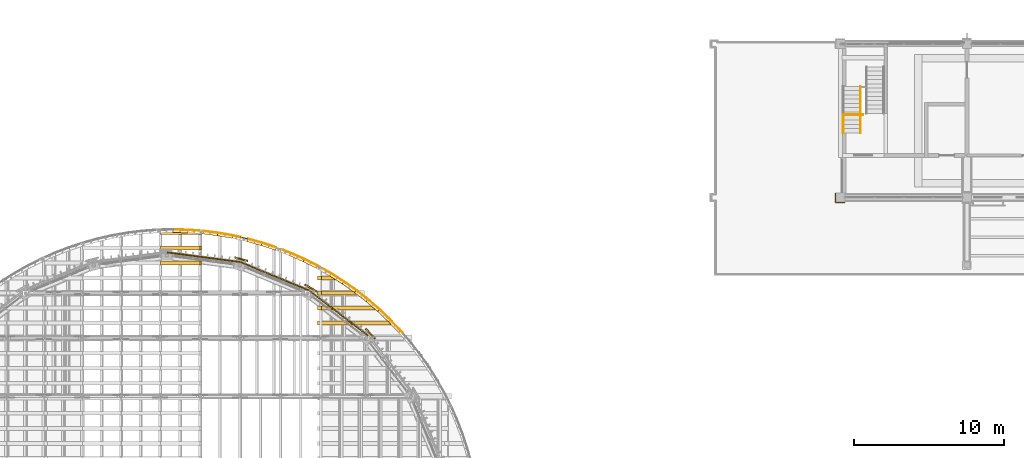
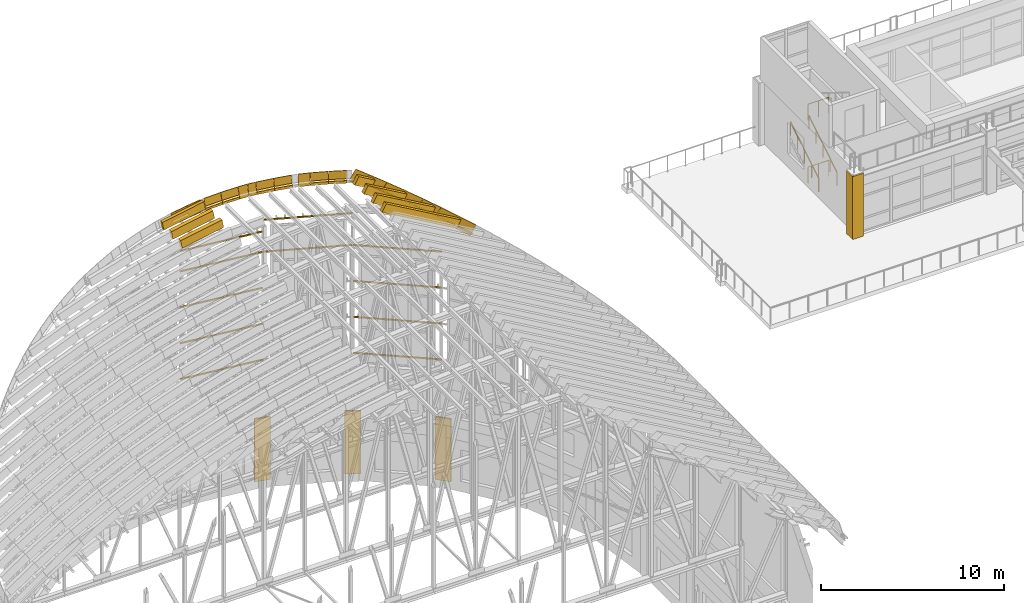
# One storey, part 95 of 105: 53 coverings, 4 railings.
"""IFC4 building model written with IfcOpenShell, lengths in metres."""

from ifc_helpers import new_model, si_unit, direction, frame, origin, origin_2d, place, context, subcontext, project, spatial, polyline, rectangle, circle, outline, extrude, material, layer, layer_set, material_profile, profile_set, type_object, element, save


model = new_model("IFC4")

# Units and contexts
model_context = context("Model", 3, precision=1e-05, world=origin(), true_north=direction((0.0, 1.0)))
body_context = subcontext(model_context, "Body", "Model", "MODEL_VIEW")
ifc_project = project(units=[si_unit("LENGTHUNIT", "METRE"), si_unit("AREAUNIT", "SQUARE_METRE"), si_unit("VOLUMEUNIT", "CUBIC_METRE"), si_unit("PLANEANGLEUNIT", "RADIAN"), si_unit("MASSUNIT", "GRAM", prefix="KILO")], contexts=[model_context])

# Site, building, storey
site_placement = place(None, origin())
site = spatial("IfcSite", under=ifc_project, at=site_placement, CompositionType="ELEMENT")
building_placement = place(site_placement, origin())
building = spatial("IfcBuilding", under=site, at=building_placement, Name="Wasatch Bagh Community Centre", CompositionType="ELEMENT")
storey_placement = place(building_placement, frame((0.0, 0.0, 16.800048828125)))
storey = spatial("IfcBuildingStorey", under=building, at=storey_placement, Name="L04", CompositionType="ELEMENT", Elevation=16.800048828125)

# Covering
ifc_material_1 = material(Name="Cast stone cladding", Category="masonry")
ifc_layer_1 = layer(ifc_material_1, 0.080078125)
ifc_layer_set_1 = layer_set([ifc_layer_1], Name="Cast stone cladding")
covering_type_1 = type_object("IfcCoveringType", Name="CL-C1 column facing", PredefinedType="CLADDING", material=ifc_layer_set_1)
covering_1_placement = place(storey_placement, origin())
element("IfcCovering", 1, at=covering_1_placement, inside=storey, type_object=covering_type_1, Name="Column facing", PredefinedType="CLADDING", context=body_context, shape_type="SweptSolid", body=[
    extrude(outline(polyline([(80.419921875, 87.219970703125), (80.419921875, 87.89990234375), (80.5, 87.89990234375), (80.5, 87.300048828125), (81.10009765625, 87.300048828125), (81.10009765625, 87.219970703125), (80.419921875, 87.219970703125)])), origin(), (0.0, 0.0, 1.0), 4.199951171875),
])

# Railings
ifc_material_2 = material(Name="Painted steel with jali infill", Category="steel")
railing_type_1 = type_object("IfcRailingType", Name="LW guard 1100", PredefinedType="GUARDRAIL", material=ifc_material_2)
for number, where, name in (
    (2, (81.0, 93.10009765625, 0.0), "Guard C1"),
    (3, (81.0, 93.10009765625, 4.199951171875), "Guard C1"),
):
    element("IfcRailing", number, at=place(storey_placement, frame(where)), inside=storey, type_object=railing_type_1, Name=name, PredefinedType="GUARDRAIL", context=body_context, shape_type="SweptSolid", body=[
        extrude(circle(Radius=0.02490234375, at=origin_2d()), frame((0.0, 0.0, 1.0751953125), z_axis=(1.0, 0.0, 0.0), x_axis=(0.0, 1.0, 0.0)), (0.0, 0.0, 1.0), 1.300048828125),
        extrude(circle(Radius=0.02001953125, at=origin_2d()), origin(), (0.0, 0.0, 1.0), 1.050048828125),
        extrude(circle(Radius=0.02001953125, at=origin_2d()), frame((0.64990234375, 0.0, 0.0)), (0.0, 0.0, 1.0), 1.050048828125),
        extrude(circle(Radius=0.02001953125, at=origin_2d()), frame((1.300048828125, 0.0, 0.0)), (0.0, 0.0, 1.0), 1.050048828125),
    ])
ifc_material_3 = material(Name="Painted steel tube", Category="steel")
railing_type_2 = type_object("IfcRailingType", Name="LW stair handrail 900", PredefinedType="HANDRAIL", material=ifc_material_3)
for number, where, name in (
    (4, (80.97509765625, 91.89990234375, 0.175048828125), "Handrail C1"),
    (5, (82.135009765625, 91.89990234375, 0.175048828125), "Handrail C1"),
):
    element("IfcRailing", number, at=place(storey_placement, frame(where)), inside=storey, type_object=railing_type_2, Name=name, PredefinedType="HANDRAIL", context=body_context, shape_type="SweptSolid", body=[
        extrude(circle(Radius=0.0224609375, at=origin_2d()), frame((0.0, 0.0, 0.87744140625), z_axis=(0.0, 0.848028513186, 0.529950602248), x_axis=(-1.0, 0.0, 0.0)), (0.0, 0.0, 1.0), 3.632080078125),
        extrude(circle(Radius=0.02001953125, at=origin_2d()), origin(), (0.0, 0.0, 1.0), 0.85498046875),
        extrude(circle(Radius=0.02001953125, at=origin_2d()), frame((0.0, 0.77001953125, 0.481201171875)), (0.0, 0.0, 1.0), 0.85498046875),
        extrude(circle(Radius=0.02001953125, at=origin_2d()), frame((0.0, 1.5400390625, 0.96240234375)), (0.0, 0.0, 1.0), 0.85498046875),
        extrude(circle(Radius=0.02001953125, at=origin_2d()), frame((0.0, 2.31005859375, 1.443603515625)), (0.0, 0.0, 1.0), 0.85498046875),
        extrude(circle(Radius=0.02001953125, at=origin_2d()), frame((0.0, 3.080078125, 1.9248046875)), (0.0, 0.0, 1.0), 0.85498046875),
    ])

# Coverings
ifc_material_4 = material(Name="White precast concrete C40/50", Category="concrete")
ifc_layer_2 = layer(ifc_material_4, 0.10009765625)
ifc_layer_set_2 = layer_set([ifc_layer_2], Name="White precast concrete C40/50")
covering_type_2 = type_object("IfcCoveringType", Name="MH column casing", PredefinedType="CLADDING", material=ifc_layer_set_2)
for number, where, z_axis, x_axis, name in (
    (6, (49.541015625, 78.541015625, 0.0), (0.0, 0.0, 1.0), (-0.707106781187, 0.707106781187, 0.0), "Column casing N3 L04"),
    (7, (45.574951171875, 81.58447265625, 0.0), (0.0, 0.0, 1.0), (-0.866025403784, 0.5, 0.0), "Column casing N4 L04"),
    (8, (40.956298828125, 83.49755859375, 0.0), (0.0, 0.0, 1.0), (-0.965925826289, 0.258819045103, 0.0), "Column casing N5 L04"),
):
    element("IfcCovering", number, at=place(storey_placement, frame(where, z_axis=z_axis, x_axis=x_axis)), inside=storey, type_object=covering_type_2, Name=name, PredefinedType="CLADDING", context=body_context, shape_type="SweptSolid", body=[
        extrude(rectangle(XDim=0.89990234375, YDim=0.10009765625, at=origin_2d()), origin(), (0.0, 0.0, 1.0), 4.199951171875),
    ])
ifc_material_5 = material(Name="ASTM A653 Grade 50 steel, zinc-aluminium coated", Category="steel")
ifc_material_profile_1 = material_profile(ifc_material_5, outline(polyline([(-0.080078125, 0.0029296875), (0.152099609375, 0.0029296875), (0.152099609375, -0.031982421875), (0.14892578125, -0.031982421875), (0.14892578125, 0.0), (-0.080078125, 0.0), (-0.080078125, 0.0029296875)])), Name="DRIP EDGE")
ifc_profile_set_1 = profile_set([ifc_material_profile_1], Name="ASTM A653 Grade 50 steel, zinc-aluminium coated")
covering_type_3 = type_object("IfcCoveringType", Name="MH drip edge", PredefinedType="CLADDING", material=ifc_profile_set_1)
covering_2_placement = place(storey_placement, frame((36.404052734375, 85.349853515625, 17.70166015625), z_axis=(0.983442735228, -0.023998232878, 0.179623136999), x_axis=(0.023602610076, 0.999712000539, 0.004339674732)))
element("IfcCovering", 9, at=covering_2_placement, inside=storey, type_object=covering_type_3, Name="Drip edge 124", PredefinedType="CLADDING", context=body_context, shape_type="SweptSolid", body=[
    extrude(outline(polyline([(-0.080078125, 0.0029296875), (0.152099609375, 0.0029296875), (0.152099609375, -0.031982421875), (0.14892578125, -0.031982421875), (0.14892578125, 0.0), (-0.080078125, 0.0), (-0.080078125, 0.0029296875)])), origin(), (0.0, 0.0, 1.0), 1.007080078125),
])
for number, where, z_axis, x_axis, name in (
    (10, (38.398681640625, 85.25146484375, 18.05322265625), (0.984334507567, -0.121453388843, 0.127807087254), (0.120443474304, 0.992597135936, 0.015629946585), "Drip edge 127"),
    (11, (39.389892578125, 85.129150390625, 18.18212890625), (0.977315510843, -0.169606642792, 0.126838397131), (0.168195661379, 0.985511839965, 0.021831921161), "Drip edge 128"),
):
    element("IfcCovering", number, at=place(storey_placement, frame(where, z_axis=z_axis, x_axis=x_axis)), inside=storey, type_object=covering_type_3, Name=name, PredefinedType="CLADDING", context=body_context, shape_type="SweptSolid", body=[
        extrude(outline(polyline([(-0.080078125, 0.0029296875), (0.152099609375, 0.0029296875), (0.152099609375, -0.031982421875), (0.14892578125, -0.031982421875), (0.14892578125, 0.0), (-0.080078125, 0.0), (-0.080078125, 0.0029296875)])), origin(), (0.0, 0.0, 1.0), 0.9990234375),
    ])
for number, where, z_axis, x_axis, name in (
    (12, (41.348388671875, 84.739013671875, 18.409912109375), (0.961139413414, -0.2658366169, 0.074444080333), (0.265038703636, 0.964018096567, 0.020581425287), "Drip edge 131"),
    (13, (42.31103515625, 84.472412109375, 18.484619140625), (0.946976025737, -0.312792029259, 0.073468041436), (0.311853882433, 0.949821639188, 0.024207638091), "Drip edge 132"),
):
    element("IfcCovering", number, at=place(storey_placement, frame(where, z_axis=z_axis, x_axis=x_axis)), inside=storey, type_object=covering_type_3, Name=name, PredefinedType="CLADDING", context=body_context, shape_type="SweptSolid", body=[
        extrude(outline(polyline([(-0.080078125, 0.0029296875), (0.152099609375, 0.0029296875), (0.152099609375, -0.031982421875), (0.14892578125, -0.031982421875), (0.14892578125, 0.0), (-0.080078125, 0.0), (-0.080078125, 0.0029296875)])), origin(), (0.0, 0.0, 1.0), 0.99365234375),
    ])
covering_3_placement = place(storey_placement, frame((44.191162109375, 83.79931640625, 18.596923828125), z_axis=(0.913951752746, -0.405133557873, 0.023643052618), x_axis=(0.404998526626, 0.914257512969, 0.010459130458)))
element("IfcCovering", 14, at=covering_3_placement, inside=storey, type_object=covering_type_3, Name="Drip edge 135", PredefinedType="CLADDING", context=body_context, shape_type="SweptSolid", body=[
    extrude(outline(polyline([(-0.080078125, 0.0029296875), (0.152099609375, 0.0029296875), (0.152099609375, -0.031982421875), (0.14892578125, -0.031982421875), (0.14892578125, 0.0), (-0.080078125, 0.0), (-0.080078125, 0.0029296875)])), origin(), (0.0, 0.0, 1.0), 0.9912109375),
])
covering_4_placement = place(storey_placement, frame((45.104248046875, 83.394287109375, 18.62060546875), z_axis=(0.893056270944, -0.449361279504, 0.022911512606), x_axis=(0.449211420315, 0.893350119153, 0.011604502075)))
element("IfcCovering", 15, at=covering_4_placement, inside=storey, type_object=covering_type_3, Name="Drip edge 136", PredefinedType="CLADDING", context=body_context, shape_type="SweptSolid", body=[
    extrude(outline(polyline([(-0.080078125, 0.0029296875), (0.152099609375, 0.0029296875), (0.152099609375, -0.031982421875), (0.14892578125, -0.031982421875), (0.14892578125, 0.0), (-0.080078125, 0.0), (-0.080078125, 0.0029296875)])), origin(), (0.0, 0.0, 1.0), 0.990966796875),
])
covering_5_placement = place(storey_placement, frame((46.864990234375, 82.452880859375, 18.364501953125), z_axis=(0.759393999021, -0.480816771524, -0.43833319116), x_axis=(0.416386319643, 0.876821092269, -0.240431289492)))
element("IfcCovering", 16, at=covering_5_placement, inside=storey, type_object=covering_type_3, Name="Drip edge 139", PredefinedType="CLADDING", context=body_context, shape_type="SweptSolid", body=[
    extrude(outline(polyline([(-0.080078125, 0.0029296875), (0.152099609375, 0.0029296875), (0.152099609375, -0.031982421875), (0.14892578125, -0.031982421875), (0.14892578125, 0.0), (-0.080078125, 0.0), (-0.080078125, 0.0029296875)])), origin(), (0.0, 0.0, 1.0), 1.103271484375),
])
covering_6_placement = place(storey_placement, frame((47.708740234375, 81.918212890625, 17.87744140625), z_axis=(0.739388634399, -0.520533160863, -0.42702420981), x_axis=(0.450755746808, 0.853841453913, -0.260334454692)))
element("IfcCovering", 17, at=covering_6_placement, inside=storey, type_object=covering_type_3, Name="Drip edge 140", PredefinedType="CLADDING", context=body_context, shape_type="SweptSolid", body=[
    extrude(outline(polyline([(-0.080078125, 0.0029296875), (0.152099609375, 0.0029296875), (0.152099609375, -0.031982421875), (0.14892578125, -0.031982421875), (0.14892578125, 0.0), (-0.080078125, 0.0), (-0.080078125, 0.0029296875)])), origin(), (0.0, 0.0, 1.0), 1.0966796875),
])
covering_7_placement = place(storey_placement, frame((48.525390625, 81.343017578125, 17.406005859375), z_axis=(0.717486380448, -0.559962043954, -0.414313653169), x_axis=(0.484946771067, 0.828518260134, -0.279971644737)))
element("IfcCovering", 18, at=covering_7_placement, inside=storey, type_object=covering_type_3, Name="Drip edge 141", PredefinedType="CLADDING", context=body_context, shape_type="SweptSolid", body=[
    extrude(outline(polyline([(-0.080078125, 0.0029296875), (0.152099609375, 0.0029296875), (0.152099609375, -0.031982421875), (0.14892578125, -0.031982421875), (0.14892578125, 0.0), (-0.080078125, 0.0), (-0.080078125, 0.0029296875)])), origin(), (0.0, 0.0, 1.0), 1.089599609375),
])
covering_8_placement = place(storey_placement, frame((49.312744140625, 80.728271484375, 16.951416015625), z_axis=(0.693812726836, -0.598371171242, -0.400719155402), x_axis=(0.51818546769, 0.801219033347, -0.299218785636)))
element("IfcCovering", 19, at=covering_8_placement, inside=storey, type_object=covering_type_3, Name="Drip edge 142", PredefinedType="CLADDING", context=body_context, shape_type="SweptSolid", body=[
    extrude(outline(polyline([(-0.080078125, 0.0029296875), (0.152099609375, 0.0029296875), (0.152099609375, -0.031982421875), (0.14892578125, -0.031982421875), (0.14892578125, 0.0), (-0.080078125, 0.0), (-0.080078125, 0.0029296875)])), origin(), (0.0, 0.0, 1.0), 1.08203125),
])
covering_9_placement = place(storey_placement, frame((50.06884765625, 80.075927734375, 16.5146484375), z_axis=(0.668093649869, -0.636290483945, -0.38572696956), x_axis=(0.551075888792, 0.771449555976, -0.318089527299)))
element("IfcCovering", 20, at=covering_9_placement, inside=storey, type_object=covering_type_3, Name="Drip edge 143", PredefinedType="CLADDING", context=body_context, shape_type="SweptSolid", body=[
    extrude(outline(polyline([(-0.080078125, 0.0029296875), (0.152099609375, 0.0029296875), (0.152099609375, -0.031982421875), (0.14892578125, -0.031982421875), (0.14892578125, 0.0), (-0.080078125, 0.0), (-0.080078125, 0.0029296875)])), origin(), (0.0, 0.0, 1.0), 1.07470703125),
])
covering_10_placement = place(storey_placement, frame((50.792236328125, 79.386962890625, 16.09716796875), z_axis=(0.640610340055, -0.672869646465, -0.369952471382), x_axis=(0.582724346567, 0.739761066412, -0.336431123024)))
element("IfcCovering", 21, at=covering_10_placement, inside=storey, type_object=covering_type_3, Name="Drip edge 144", PredefinedType="CLADDING", context=body_context, shape_type="SweptSolid", body=[
    extrude(outline(polyline([(-0.080078125, 0.0029296875), (0.152099609375, 0.0029296875), (0.152099609375, -0.031982421875), (0.14892578125, -0.031982421875), (0.14892578125, 0.0), (-0.080078125, 0.0), (-0.080078125, 0.0029296875)])), origin(), (0.0, 0.0, 1.0), 1.067138671875),
])
ifc_material_profile_2 = material_profile(ifc_material_5, rectangle(XDim=0.0400390625, YDim=0.85009765625, at=origin_2d()), Name="FASCIA 40x850")
ifc_profile_set_2 = profile_set([ifc_material_profile_2], Name="ASTM A653 Grade 50 steel, zinc-aluminium coated")
covering_type_4 = type_object("IfcCoveringType", Name="MH eave fascia 40x850", PredefinedType="CLADDING", material=ifc_profile_set_2)
covering_11_placement = place(storey_placement, frame((36.406982421875, 85.469970703125, 17.83349609375), z_axis=(0.983394139173, -0.024239441439, 0.179856655476), x_axis=(0.024641270835, 0.999696357787, 0.0)))
element("IfcCovering", 22, at=covering_11_placement, inside=storey, type_object=covering_type_4, Name="Eave fascia 124", PredefinedType="CLADDING", context=body_context, shape_type="SweptSolid", body=[
    extrude(rectangle(XDim=0.0400390625, YDim=0.85009765625, at=origin_2d()), origin(), (0.0, 0.0, 1.0), 1.00732421875),
])
covering_12_placement = place(storey_placement, frame((37.411376953125, 85.44482421875, 18.015869140625), z_axis=(0.981116574311, -0.072437305873, 0.179340749219), x_axis=(0.073631085377, 0.997285547507, 0.0)))
element("IfcCovering", 23, at=covering_12_placement, inside=storey, type_object=covering_type_4, Name="Eave fascia 125", PredefinedType="CLADDING", context=body_context, shape_type="SweptSolid", body=[
    extrude(rectangle(XDim=0.0400390625, YDim=0.85009765625, at=origin_2d()), origin(), (0.0, 0.0, 1.0), 0.8359375),
])
for number, where, z_axis, x_axis, name in (
    (24, (38.413330078125, 85.37060546875, 18.181884765625), (0.984334507567, -0.121453388843, 0.127807087254), (0.122457658417, 0.992473738642, 0.0), "Eave fascia 127"),
    (25, (39.410400390625, 85.247314453125, 18.310546875), (0.977315510843, -0.169606642792, 0.126838397131), (0.170987642486, 0.985273173347, 0.0), "Eave fascia 128"),
):
    element("IfcCovering", number, at=place(storey_placement, frame(where, z_axis=z_axis, x_axis=x_axis)), inside=storey, type_object=covering_type_4, Name=name, PredefinedType="CLADDING", context=body_context, shape_type="SweptSolid", body=[
        extrude(rectangle(XDim=0.0400390625, YDim=0.85009765625, at=origin_2d()), origin(), (0.0, 0.0, 1.0), 0.9990234375),
    ])
covering_13_placement = place(storey_placement, frame((40.400146484375, 85.0751953125, 18.438232421875), z_axis=(0.968036963081, -0.217276682258, 0.125280810408), x_axis=(0.219002129409, 0.975724380814, 0.0)))
element("IfcCovering", 26, at=covering_13_placement, inside=storey, type_object=covering_type_4, Name="Eave fascia 129", PredefinedType="CLADDING", context=body_context, shape_type="SweptSolid", body=[
    extrude(rectangle(XDim=0.0400390625, YDim=0.85009765625, at=origin_2d()), origin(), (0.0, 0.0, 1.0), 0.528076171875),
])
covering_14_placement = place(storey_placement, frame((40.919189453125, 84.958740234375, 18.500732421875), z_axis=(0.972911577235, -0.218560288888, 0.075329031607), x_axis=(0.219183046643, 0.975683756175, 0.0)))
element("IfcCovering", 27, at=covering_14_placement, inside=storey, type_object=covering_type_4, Name="Eave fascia 130", PredefinedType="CLADDING", context=body_context, shape_type="SweptSolid", body=[
    extrude(rectangle(XDim=0.0400390625, YDim=0.85009765625, at=origin_2d()), origin(), (0.0, 0.0, 1.0), 0.460205078125),
])
covering_15_placement = place(storey_placement, frame((41.380615234375, 84.854736328125, 18.5361328125), z_axis=(0.961057855904, -0.266127757081, 0.074456796302), x_axis=(0.266868519958, 0.963732946959, 0.0)))
element("IfcCovering", 28, at=covering_15_placement, inside=storey, type_object=covering_type_4, Name="Eave fascia 131", PredefinedType="CLADDING", context=body_context, shape_type="SweptSolid", body=[
    extrude(rectangle(XDim=0.0400390625, YDim=0.85009765625, at=origin_2d()), origin(), (0.0, 0.0, 1.0), 0.993408203125),
])
covering_16_placement = place(storey_placement, frame((42.3486328125, 84.58642578125, 18.61083984375), z_axis=(0.946976025737, -0.312792029259, 0.073468041436), x_axis=(0.31363961778, 0.949542094991, 0.0)))
element("IfcCovering", 29, at=covering_16_placement, inside=storey, type_object=covering_type_4, Name="Eave fascia 132", PredefinedType="CLADDING", context=body_context, shape_type="SweptSolid", body=[
    extrude(rectangle(XDim=0.0400390625, YDim=0.85009765625, at=origin_2d()), origin(), (0.0, 0.0, 1.0), 0.99365234375),
])
covering_17_placement = place(storey_placement, frame((43.61279296875, 84.1513671875, 18.7060546875), z_axis=(0.932663199548, -0.359942753085, 0.024095034964), x_axis=(0.360047284713, 0.93293405596, 0.0)))
element("IfcCovering", 30, at=covering_17_placement, inside=storey, type_object=covering_type_4, Name="Eave fascia 134", PredefinedType="CLADDING", context=body_context, shape_type="SweptSolid", body=[
    extrude(rectangle(XDim=0.0400390625, YDim=0.85009765625, at=origin_2d()), origin(), (0.0, 0.0, 1.0), 0.65869140625),
])
for number, where, z_axis, x_axis, name in (
    (31, (44.239990234375, 83.908935546875, 18.72216796875), (0.914007690552, -0.405021197646, 0.023404509596), (0.405132172687, 0.914258126928, 0.0), "Eave fascia 135"),
    (32, (45.158203125, 83.50146484375, 18.74560546875), (0.89305120304, -0.449358729475, 0.023157741541), (0.449479269232, 0.893290762591, 0.0), "Eave fascia 136"),
):
    element("IfcCovering", number, at=place(storey_placement, frame(where, z_axis=z_axis, x_axis=x_axis)), inside=storey, type_object=covering_type_4, Name=name, PredefinedType="CLADDING", context=body_context, shape_type="SweptSolid", body=[
        extrude(rectangle(XDim=0.0400390625, YDim=0.85009765625, at=origin_2d()), origin(), (0.0, 0.0, 1.0), 0.990966796875),
    ])
covering_18_placement = place(storey_placement, frame((46.312255859375, 82.904052734375, 18.887939453125), z_axis=(0.777593572249, -0.440354280133, -0.448816604378), x_axis=(0.492773621404, 0.870157547832, 0.0)))
element("IfcCovering", 33, at=covering_18_placement, inside=storey, type_object=covering_type_4, Name="Eave fascia 138", PredefinedType="CLADDING", context=body_context, shape_type="SweptSolid", body=[
    extrude(rectangle(XDim=0.0400390625, YDim=0.85009765625, at=origin_2d()), origin(), (0.0, 0.0, 1.0), 0.779052734375),
])
covering_19_placement = place(storey_placement, frame((46.92919921875, 82.55419921875, 18.532470703125), z_axis=(0.759393999021, -0.480816771524, -0.43833319116), x_axis=(0.534946655462, 0.844885835962, 0.0)))
element("IfcCovering", 34, at=covering_19_placement, inside=storey, type_object=covering_type_4, Name="Eave fascia 139", PredefinedType="CLADDING", context=body_context, shape_type="SweptSolid", body=[
    extrude(rectangle(XDim=0.0400390625, YDim=0.85009765625, at=origin_2d()), origin(), (0.0, 0.0, 1.0), 1.103271484375),
])
covering_20_placement = place(storey_placement, frame((47.77783203125, 82.016357421875, 18.04296875), z_axis=(0.73945892186, -0.520582643574, -0.426842141887), x_axis=(0.575658067023, 0.817690522063, 0.0)))
element("IfcCovering", 35, at=covering_20_placement, inside=storey, type_object=covering_type_4, Name="Eave fascia 140", PredefinedType="CLADDING", context=body_context, shape_type="SweptSolid", body=[
    extrude(rectangle(XDim=0.0400390625, YDim=0.85009765625, at=origin_2d()), origin(), (0.0, 0.0, 1.0), 1.096435546875),
])
covering_21_placement = place(storey_placement, frame((48.59912109375, 81.437744140625, 17.569091796875), z_axis=(0.717486380448, -0.559962043954, -0.414313653169), x_axis=(0.615252196869, 0.788330345888, 0.0)))
element("IfcCovering", 36, at=covering_21_placement, inside=storey, type_object=covering_type_4, Name="Eave fascia 141", PredefinedType="CLADDING", context=body_context, shape_type="SweptSolid", body=[
    extrude(rectangle(XDim=0.0400390625, YDim=0.85009765625, at=origin_2d()), origin(), (0.0, 0.0, 1.0), 1.089599609375),
])
covering_22_placement = place(storey_placement, frame((49.39111328125, 80.8193359375, 17.11181640625), z_axis=(0.69378175214, -0.598570077537, -0.400475645544), x_axis=(0.65324155997, 0.757149565362, 0.0)))
element("IfcCovering", 37, at=covering_22_placement, inside=storey, type_object=covering_type_4, Name="Eave fascia 142", PredefinedType="CLADDING", context=body_context, shape_type="SweptSolid", body=[
    extrude(rectangle(XDim=0.0400390625, YDim=0.85009765625, at=origin_2d()), origin(), (0.0, 0.0, 1.0), 1.08203125),
])
covering_23_placement = place(storey_placement, frame((50.151611328125, 80.162841796875, 16.672607421875), z_axis=(0.668093649869, -0.636290483945, -0.38572696956), x_axis=(0.689661320562, 0.724132075606, 0.0)))
element("IfcCovering", 38, at=covering_23_placement, inside=storey, type_object=covering_type_4, Name="Eave fascia 143", PredefinedType="CLADDING", context=body_context, shape_type="SweptSolid", body=[
    extrude(rectangle(XDim=0.0400390625, YDim=0.85009765625, at=origin_2d()), origin(), (0.0, 0.0, 1.0), 1.07470703125),
])
covering_24_placement = place(storey_placement, frame((50.879150390625, 79.4697265625, 16.252197265625), z_axis=(0.640664552202, -0.67292658858, -0.369754970128), x_axis=(0.72425504853, 0.689532178131, 0.0)))
element("IfcCovering", 39, at=covering_24_placement, inside=storey, type_object=covering_type_4, Name="Eave fascia 144", PredefinedType="CLADDING", context=body_context, shape_type="SweptSolid", body=[
    extrude(rectangle(XDim=0.0400390625, YDim=0.85009765625, at=origin_2d()), origin(), (0.0, 0.0, 1.0), 1.06689453125),
])
ifc_material_6 = material(Name="Aluminium extrusion", Category="aluminium")
ifc_material_profile_3 = material_profile(ifc_material_6, rectangle(XDim=0.080078125, YDim=0.080078125, at=origin_2d()), Name="AL 80x80")
ifc_profile_set_3 = profile_set([ifc_material_profile_3], Name="Aluminium extrusion")
covering_type_5 = type_object("IfcCoveringType", Name="MH fin rail 80x80", PredefinedType="CLADDING", material=ifc_profile_set_3)
for number, where, z_axis, x_axis, name in (
    (40, (49.3798828125, 78.4169921875, 8.199951171875), (-0.793337338041, 0.60878228298, 0.0), (-0.60878228298, -0.793337338041, 0.0), "Fin rail 22.1"),
    (41, (49.3798828125, 78.4169921875, 10.599853515625), (-0.793337338041, 0.60878228298, 0.0), (-0.60878228298, -0.793337338041, 0.0), "Fin rail 22.2"),
    (42, (49.3798828125, 78.4169921875, 13.0), (-0.793337338041, 0.60878228298, 0.0), (-0.60878228298, -0.793337338041, 0.0), "Fin rail 22.3"),
    (43, (49.3798828125, 78.4169921875, 15.39990234375), (-0.793337338041, 0.60878228298, 0.0), (-0.60878228298, -0.793337338041, 0.0), "Fin rail 22.4"),
    (44, (45.451416015625, 81.4228515625, 15.39990234375), (-0.923880654153, 0.382680724471, 0.0), (-0.382680724471, -0.923880654153, 0.0), "Fin rail 23.4"),
    (45, (45.451416015625, 81.4228515625, 17.530029296875), (-0.923880654153, 0.382680724471, 0.0), (-0.382680724471, -0.923880654153, 0.0), "Fin rail 23.5"),
):
    element("IfcCovering", number, at=place(storey_placement, frame(where, z_axis=z_axis, x_axis=x_axis)), inside=storey, type_object=covering_type_5, Name=name, PredefinedType="CLADDING", context=body_context, shape_type="SweptSolid", body=[
        extrude(rectangle(XDim=0.080078125, YDim=0.080078125, at=origin_2d()), origin(), (0.0, 0.0, 1.0), 4.89453125),
    ])
for number, where, z_axis, x_axis, name in (
    (46, (40.87890625, 83.309326171875, 8.199951171875), (-0.991443936339, 0.130533218363, 0.0), (-0.130533218363, -0.991443936339, 0.0), "Fin rail 24.1"),
    (47, (40.87890625, 83.309326171875, 10.599853515625), (-0.991443936339, 0.130533218363, 0.0), (-0.130533218363, -0.991443936339, 0.0), "Fin rail 24.2"),
    (48, (40.87890625, 83.309326171875, 13.0), (-0.991443936339, 0.130533218363, 0.0), (-0.130533218363, -0.991443936339, 0.0), "Fin rail 24.3"),
    (49, (40.87890625, 83.309326171875, 15.39990234375), (-0.991443936339, 0.130533218363, 0.0), (-0.130533218363, -0.991443936339, 0.0), "Fin rail 24.4"),
    (50, (40.87890625, 83.309326171875, 16.760009765625), (-0.991443936339, 0.130533218363, 0.0), (-0.130533218363, -0.991443936339, 0.0), "Fin rail 24.5"),
):
    element("IfcCovering", number, at=place(storey_placement, frame(where, z_axis=z_axis, x_axis=x_axis)), inside=storey, type_object=covering_type_5, Name=name, PredefinedType="CLADDING", context=body_context, shape_type="SweptSolid", body=[
        extrude(rectangle(XDim=0.080078125, YDim=0.080078125, at=origin_2d()), origin(), (0.0, 0.0, 1.0), 4.894775390625),
    ])
covering_type_6 = type_object("IfcCoveringType", Name="MH roll-over fin rib", PredefinedType="ROOFING", material=ifc_material_5)
for number, where, z_axis, x_axis, name in (
    (51, (35.59326171875, 83.125, 18.103515625), (-0.179779044662, 0.0, 0.983707016901), (0.983707016901, 0.0, 0.179779044662), "Seam rib 9.69"),
    (52, (35.59326171875, 84.125, 18.103515625), (-0.179779044662, 0.0, 0.983707016901), (0.983707016901, 0.0, 0.179779044662), "Seam rib 9.70"),
):
    element("IfcCovering", number, at=place(storey_placement, frame(where, z_axis=z_axis, x_axis=x_axis)), inside=storey, type_object=covering_type_6, Name=name, PredefinedType="ROOFING", context=body_context, shape_type="SweptSolid", body=[
        extrude(outline(polyline([(0.0, 0.0), (2.6684774581252992, 0.0), (2.6684774581252992, 0.25), (0.0, 0.25), (0.0, 0.0)])), origin(), (0.0, 0.0, -1.0), 0.550048828125),
    ])
covering_25_placement = place(storey_placement, frame((35.59326171875, 85.125, 18.103515625), z_axis=(-0.179779044662, 0.0, 0.983707016901), x_axis=(0.983707016901, 0.0, 0.179779044662)))
element("IfcCovering", 53, at=covering_25_placement, inside=storey, type_object=covering_type_6, Name="Seam rib 9.71", PredefinedType="ROOFING", context=body_context, shape_type="SweptSolid", body=[
    extrude(outline(polyline([(0.0, 0.0), (2.6684774581252992, 0.0), (2.6684774581252992, 0.195068359375), (0.0, 0.195068359375), (0.0, 0.0)])), origin(), (0.0, 0.0, -1.0), 0.550048828125),
])
covering_26_placement = place(storey_placement, frame((46.28857421875, 79.125, 19.247314453125), z_axis=(0.499990480594, 0.0, 0.866030899747), x_axis=(0.866030899747, 0.0, -0.499990480594)))
element("IfcCovering", 54, at=covering_26_placement, inside=storey, type_object=covering_type_6, Name="Seam rib 13.62", PredefinedType="ROOFING", context=body_context, shape_type="SweptSolid", body=[
    extrude(outline(polyline([(0.0, 0.0), (5.440533268794468, 0.0), (5.440533268794468, 0.25), (0.0, 0.25), (0.0, 0.0)])), origin(), (0.0, 0.0, -1.0), 0.550048828125),
])
covering_27_placement = place(storey_placement, frame((46.28857421875, 80.125, 19.247314453125), z_axis=(0.499991184371, 0.0, 0.86603049343), x_axis=(0.86603049343, 0.0, -0.499991184371)))
element("IfcCovering", 55, at=covering_27_placement, inside=storey, type_object=covering_type_6, Name="Seam rib 13.63", PredefinedType="ROOFING", context=body_context, shape_type="SweptSolid", body=[
    extrude(outline(polyline([(0.0, 0.0), (4.246656905153804, 0.0), (4.246656905153804, 0.25), (0.0, 0.25), (0.0, 0.0)])), origin(), (0.0, 0.0, -1.0), 0.550048828125),
])
covering_28_placement = place(storey_placement, frame((46.28857421875, 81.125, 19.247314453125), z_axis=(0.500019163823, 0.0, 0.866014339263), x_axis=(0.866014339263, 0.0, -0.500019163823)))
element("IfcCovering", 56, at=covering_28_placement, inside=storey, type_object=covering_type_6, Name="Seam rib 13.64", PredefinedType="ROOFING", context=body_context, shape_type="SweptSolid", body=[
    extrude(outline(polyline([(0.0, 0.0), (2.849011897827804, 0.0), (2.849011897827804, 0.25), (0.0, 0.25), (0.0, 0.0)])), origin(), (0.0, 0.0, -1.0), 0.550048828125),
])
covering_29_placement = place(storey_placement, frame((46.28857421875, 82.125, 19.247314453125), z_axis=(0.500016292001, 0.0, 0.866015997389), x_axis=(0.866015997389, 0.0, -0.500016292001)))
element("IfcCovering", 57, at=covering_29_placement, inside=storey, type_object=covering_type_6, Name="Seam rib 13.65", PredefinedType="ROOFING", context=body_context, shape_type="SweptSolid", body=[
    extrude(outline(polyline([(0.0, 0.0), (1.1986914105859994, 0.0), (1.1986914105859994, 0.25000000000000006), (0.0, 0.25000000000000006), (0.0, 0.0)])), origin(), (0.0, 0.0, -1.0), 0.550048828125),
])

save(model, "model.ifc")
